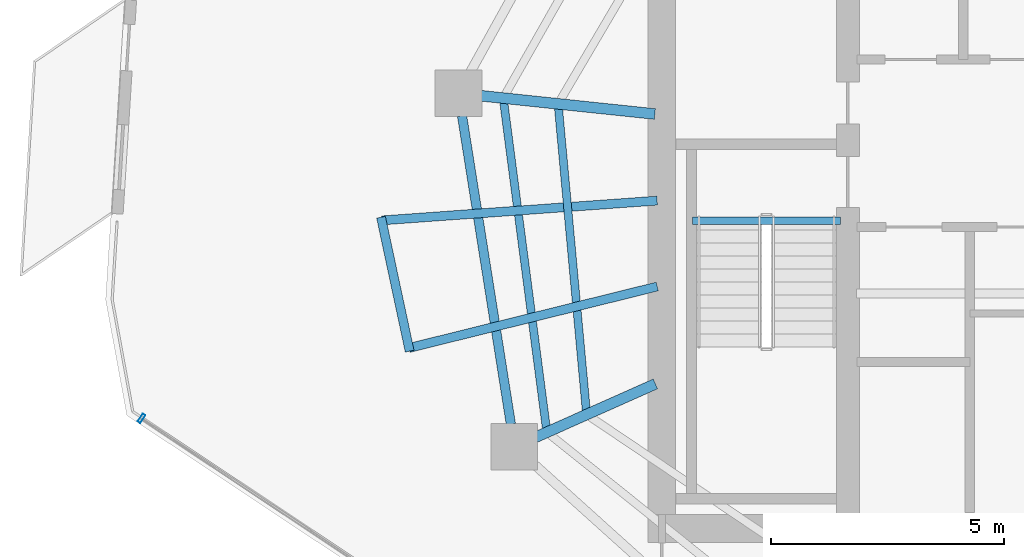
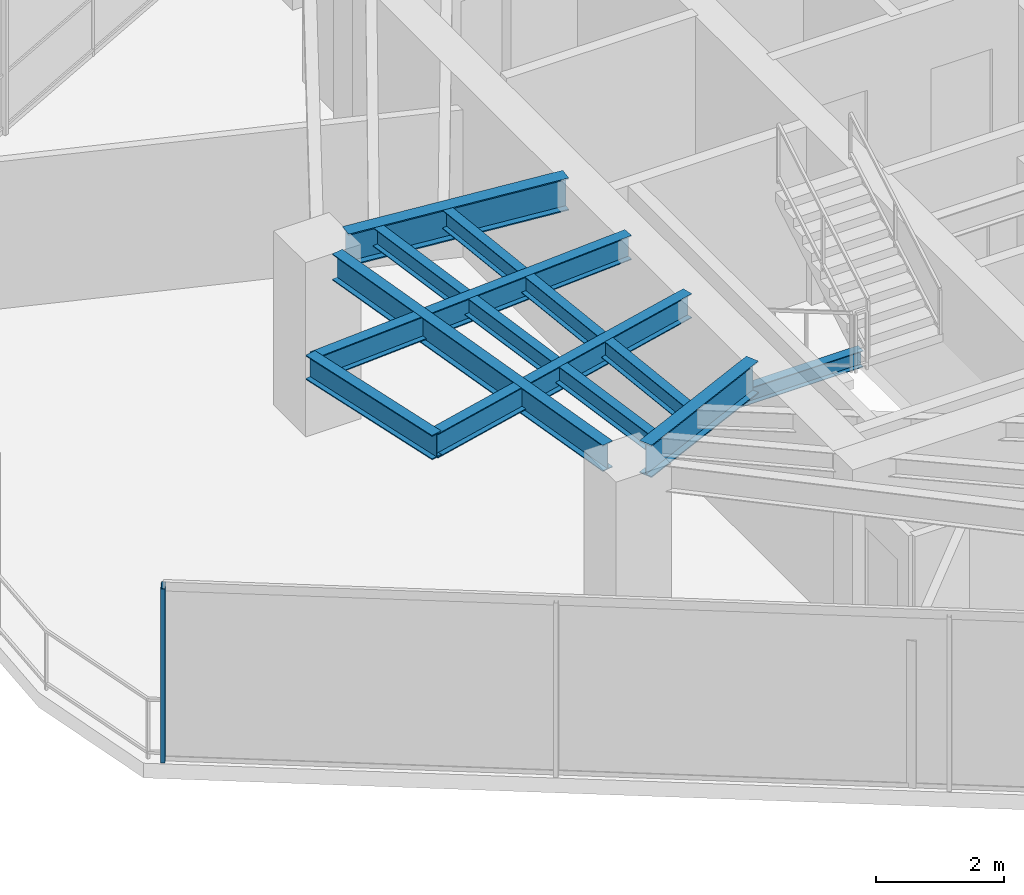
# One storey, part 6 of 21: 9 beams, 1 member, 1 element without a shape of its own.
"""IFC4 building model written with IfcOpenShell, lengths in metres."""

from ifc_helpers import new_model, si_unit, direction, frame, origin, origin_2d, place, context, subcontext, project, spatial, hollow_rectangle, i_section, extrude, material, layer, layer_set, material_profile, profile_set, type_object, element, aggregate, save


model = new_model("IFC4")

# Units and contexts
model_context = context("Model", 3, precision=1e-05, world=origin(), true_north=direction((0.0, 1.0)))
body_context = subcontext(model_context, "Body", "Model", "MODEL_VIEW")
ifc_project = project(units=[si_unit("LENGTHUNIT", "METRE"), si_unit("AREAUNIT", "SQUARE_METRE"), si_unit("VOLUMEUNIT", "CUBIC_METRE"), si_unit("PLANEANGLEUNIT", "RADIAN"), si_unit("MASSUNIT", "GRAM", prefix="KILO")], contexts=[model_context])

# Site, building, storey
site_placement = place(None, origin())
site = spatial("IfcSite", under=ifc_project, at=site_placement, CompositionType="ELEMENT")
building_placement = place(site_placement, origin())
building = spatial("IfcBuilding", under=site, at=building_placement, Name="Qarnah Convention Tower", CompositionType="ELEMENT")
storey_placement = place(building_placement, frame((0.0, 0.0, 165.300048828125)))
storey = spatial("IfcBuildingStorey", under=building, at=storey_placement, Name="L44", CompositionType="ELEMENT", Elevation=165.300048828125)

# Beams
ifc_material_1 = material(Name="Structural steel S355JR", Category="steel")
ifc_material_profile_1 = material_profile(ifc_material_1, i_section(OverallWidth=0.19189453125, OverallDepth=0.464111328125, WebThickness=0.010986328125, FlangeThickness=0.01806640625, at=origin_2d()), Name="W460X89")
ifc_profile_set_1 = profile_set([ifc_material_profile_1], Name="Structural steel S355JR")
beam_type_1 = type_object("IfcBeamType", Name="BM-CANT-W460A", PredefinedType="BEAM", material=ifc_profile_set_1)
beam_1_placement = place(storey_placement, frame((26.699951171875, 25.64794921875, 3.087890625), z_axis=(-0.997431478283, -0.071627132639, 0.0), x_axis=(0.071627132639, -0.997431478283, 0.0)))
element("IfcBeam", 1, at=beam_1_placement, inside=storey, type_object=beam_type_1, Name="L44 beam BM-L44-CNT-02-1", PredefinedType="BEAM", context=body_context, shape_type="SweptSolid", body=[
    extrude(i_section(OverallWidth=0.19189453125, OverallDepth=0.464111328125, WebThickness=0.010986328125, FlangeThickness=0.01806640625, at=origin_2d()), origin(), (0.0, 0.0, 1.0), 5.93408203125),
])
beam_2_placement = place(storey_placement, frame((26.702880859375, 23.802001953125, 3.087890625), z_axis=(-0.970704086067, -0.240278124872, 0.0), x_axis=(0.240278124872, -0.970704086067, 0.0)))
element("IfcBeam", 2, at=beam_2_placement, inside=storey, type_object=beam_type_1, Name="L44 beam BM-L44-CNT-02-2", PredefinedType="BEAM", context=body_context, shape_type="SweptSolid", body=[
    extrude(i_section(OverallWidth=0.19189453125, OverallDepth=0.464111328125, WebThickness=0.010986328125, FlangeThickness=0.01806640625, at=origin_2d()), origin(), (0.0, 0.0, 1.0), 5.498046875),
])
beam_3_placement = place(storey_placement, frame((20.76611328125, 25.291015625, 3.087890625), z_axis=(0.208973836363, -0.977921231857, 0.0), x_axis=(0.977921231857, 0.208973836363, 0.0)))
element("IfcBeam", 3, at=beam_3_placement, inside=storey, type_object=beam_type_1, Name="L44 spandrel BM-L44-CTIE-02", PredefinedType="SPANDREL", context=body_context, shape_type="SweptSolid", body=[
    extrude(i_section(OverallWidth=0.19189453125, OverallDepth=0.464111328125, WebThickness=0.010986328125, FlangeThickness=0.01806640625, at=origin_2d()), origin(), (0.0, 0.0, 1.0), 2.94287109375),
])
ifc_material_profile_2 = material_profile(ifc_material_1, i_section(OverallWidth=0.166015625, OverallDepth=0.31201171875, WebThickness=0.007080078125, FlangeThickness=0.010986328125, at=origin_2d()), Name="W310X45")
ifc_profile_set_2 = profile_set([ifc_material_profile_2], Name="Structural steel S355JR")
beam_type_2 = type_object("IfcBeamType", Name="BM-JST-W310", PredefinedType="JOIST", material=ifc_profile_set_2)
beam_4_placement = place(storey_placement, frame((27.4599609375, 25.217041015625, -0.156005859375), z_axis=(1.0, 0.0, 0.0), x_axis=(0.0, 1.0, 0.0)))
element("IfcBeam", 4, at=beam_4_placement, inside=storey, type_object=beam_type_2, Name="L44 stair landing trimmer beam BM-L44-ST1-TRM", PredefinedType="BEAM", context=body_context, shape_type="SweptSolid", body=[
    extrude(i_section(OverallWidth=0.166015625, OverallDepth=0.31201171875, WebThickness=0.007080078125, FlangeThickness=0.010986328125, at=origin_2d()), origin(), (0.0, 0.0, 1.0), 3.179931640625),
])
ifc_material_profile_3 = material_profile(ifc_material_1, i_section(OverallWidth=0.172119140625, OverallDepth=0.35595703125, WebThickness=0.007080078125, FlangeThickness=0.011962890625, at=origin_2d()), Name="W360X51")
ifc_profile_set_3 = profile_set([ifc_material_profile_3], Name="Structural steel S355JR")
beam_type_3 = type_object("IfcBeamType", Name="BM-JST-W360", PredefinedType="JOIST", material=ifc_profile_set_3)
beam_5_placement = place(storey_placement, frame((23.404052734375, 27.761962890625, 3.141845703125), z_axis=(0.12956381361, -0.991571085804, 0.0), x_axis=(0.991571085804, 0.12956381361, 0.0)))
element("IfcBeam", 5, at=beam_5_placement, inside=storey, type_object=beam_type_3, Name="L44 joist BM-L44-SJST-05", PredefinedType="JOIST", context=body_context, shape_type="SweptSolid", body=[
    extrude(i_section(OverallWidth=0.172119140625, OverallDepth=0.35595703125, WebThickness=0.007080078125, FlangeThickness=0.011962890625, at=origin_2d()), origin(), (0.0, 0.0, 1.0), 7.0625),
])
beam_6_placement = place(storey_placement, frame((24.580078125, 27.636962890625, 3.141845703125), z_axis=(0.091507562391, -0.995804381405, 0.0), x_axis=(0.995804381405, 0.091507562391, 0.0)))
element("IfcBeam", 6, at=beam_6_placement, inside=storey, type_object=beam_type_3, Name="L44 joist BM-L44-IJST-05", PredefinedType="JOIST", context=body_context, shape_type="SweptSolid", body=[
    extrude(i_section(OverallWidth=0.172119140625, OverallDepth=0.35595703125, WebThickness=0.007080078125, FlangeThickness=0.011962890625, at=origin_2d()), origin(), (0.0, 0.0, 1.0), 6.523193359375),
])
ifc_material_profile_4 = material_profile(ifc_material_1, i_section(OverallWidth=0.22998046875, OverallDepth=0.617919921875, WebThickness=0.012939453125, FlangeThickness=0.02197265625, at=origin_2d()), Name="W610X140")
ifc_profile_set_4 = profile_set([ifc_material_profile_4], Name="Structural steel S355JR")
beam_type_4 = type_object("IfcBeamType", Name="BM-RAD-W610A", PredefinedType="BEAM", material=ifc_profile_set_4)
beam_7_placement = place(storey_placement, frame((26.65087890625, 27.509033203125, 3.010986328125), z_axis=(-0.994531015982, 0.104441649973, 0.0), x_axis=(-0.104441649973, -0.994531015982, 0.0)))
element("IfcBeam", 7, at=beam_7_placement, inside=storey, type_object=beam_type_4, Name="L44 beam BM-L44-RAD-05", PredefinedType="BEAM", context=body_context, shape_type="SweptSolid", body=[
    extrude(i_section(OverallWidth=0.22998046875, OverallDepth=0.617919921875, WebThickness=0.012939453125, FlangeThickness=0.02197265625, at=origin_2d()), origin(), (0.0, 0.0, 1.0), 3.763427734375),
])
beam_8_placement = place(storey_placement, frame((26.6630859375, 21.708984375, 3.010986328125), z_axis=(-0.913488265638, -0.406865074123, 0.0), x_axis=(0.406865074123, -0.913488265638, 0.0)))
element("IfcBeam", 8, at=beam_8_placement, inside=storey, type_object=beam_type_4, Name="L44 beam BM-L44-RAD-06", PredefinedType="BEAM", context=body_context, shape_type="SweptSolid", body=[
    extrude(i_section(OverallWidth=0.22998046875, OverallDepth=0.617919921875, WebThickness=0.012939453125, FlangeThickness=0.02197265625, at=origin_2d()), origin(), (0.0, 0.0, 1.0), 2.83642578125),
])
ifc_material_profile_5 = material_profile(ifc_material_1, i_section(OverallWidth=0.199951171875, OverallDepth=0.5, WebThickness=0.010009765625, FlangeThickness=0.01611328125, at=origin_2d()), Name="IPE500")
ifc_profile_set_5 = profile_set([ifc_material_profile_5], Name="Structural steel S355JR")
beam_type_5 = type_object("IfcBeamType", Name="BM-SPN-IPE500", PredefinedType="SPANDREL", material=ifc_profile_set_5)
beam_9_placement = place(storey_placement, frame((22.508056640625, 27.468017578125, 3.070068359375), z_axis=(0.156388773261, -0.987695576379, 0.0), x_axis=(0.987695576379, 0.156388773261, 0.0)))
element("IfcBeam", 9, at=beam_9_placement, inside=storey, type_object=beam_type_5, Name="L44 spandrel BM-L44-SPN-05", PredefinedType="SPANDREL", context=body_context, shape_type="SweptSolid", body=[
    extrude(i_section(OverallWidth=0.199951171875, OverallDepth=0.5, WebThickness=0.010009765625, FlangeThickness=0.01611328125, at=origin_2d()), origin(), (0.0, 0.0, 1.0), 6.70654296875),
])

# Curtain wall, member
ifc_material_2 = material(Name="Tempered Low-E dark glass", Category="glass")
ifc_layer = layer(ifc_material_2, 0.172119140625)
ifc_layer_set = layer_set([ifc_layer], Name="Tempered Low-E dark glass")
curtain_wall_type = type_object("IfcCurtainWallType", Name="CWS-03", PredefinedType="NOTDEFINED", material=ifc_layer_set)
curtain_wall_placement = place(storey_placement, origin())
curtain_wall = element("IfcCurtainWall", 10, at=curtain_wall_placement, inside=storey, type_object=curtain_wall_type, Name="L44 unitised curtain wall CW-L44-F1", PredefinedType="NOTDEFINED")
ifc_material_3 = material(Name="Black anodised aluminium", Category="aluminium")
ifc_material_profile_6 = material_profile(ifc_material_3, hollow_rectangle(XDim=0.070068359375, YDim=0.199951171875, WallThickness=0.0048828125, at=origin_2d()), Name="MUL-70X200")
ifc_profile_set_6 = profile_set([ifc_material_profile_6], Name="Black anodised aluminium")
member_type = type_object("IfcMemberType", Name="MUL-T3", PredefinedType="MULLION", material=ifc_profile_set_6)
member_placement = place(storey_placement, frame((15.618896484375, 20.966064453125, 0.0), z_axis=(0.0, 0.0, 1.0), x_axis=(-0.832920468029, 0.55339271222, 0.0)))
member = element("IfcMember", 11, at=member_placement, type_object=member_type, Name="CW-L44-F1 mullion 6", PredefinedType="MULLION", context=body_context, shape_type="SweptSolid", body=[
    extrude(hollow_rectangle(XDim=0.070068359375, YDim=0.199951171875, WallThickness=0.0048828125, at=origin_2d()), origin(), (0.0, 0.0, 1.0), 3.320068359375),
])
aggregate(curtain_wall, [member])

save(model, "model.ifc")
